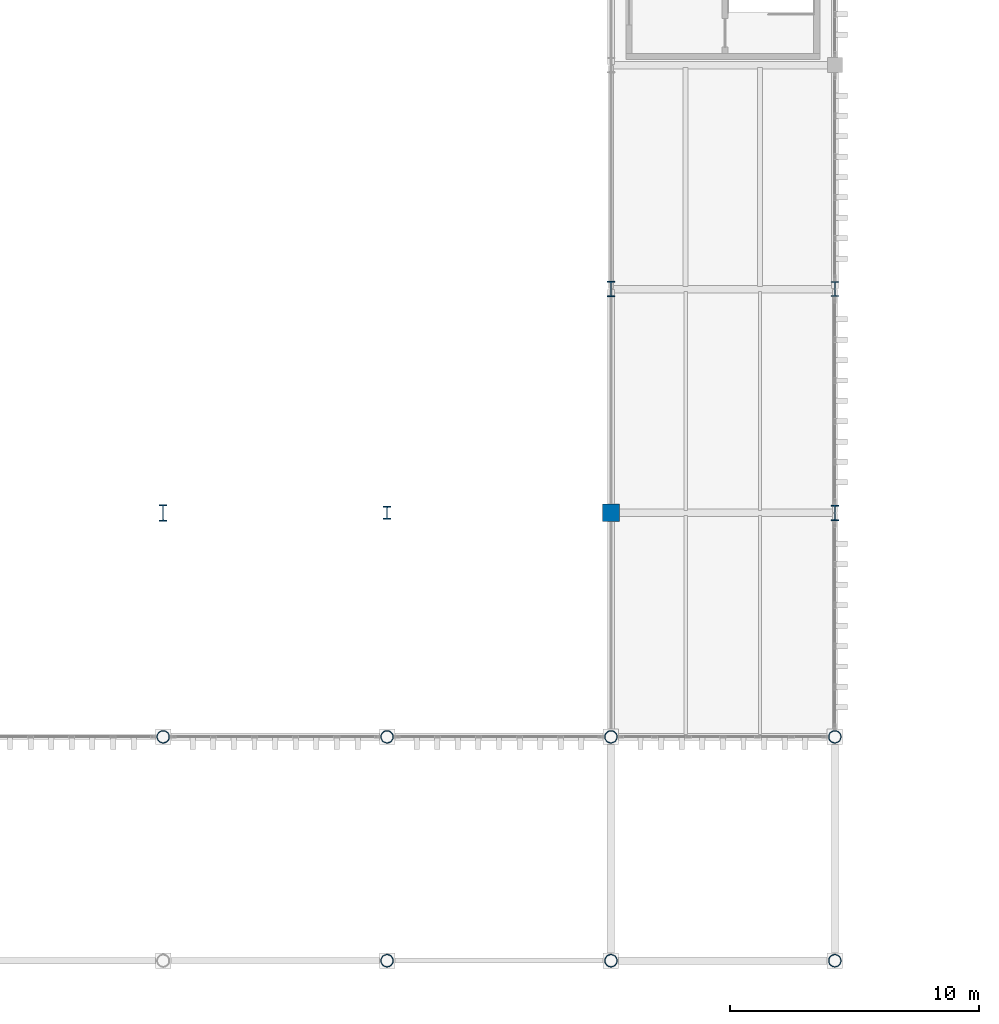
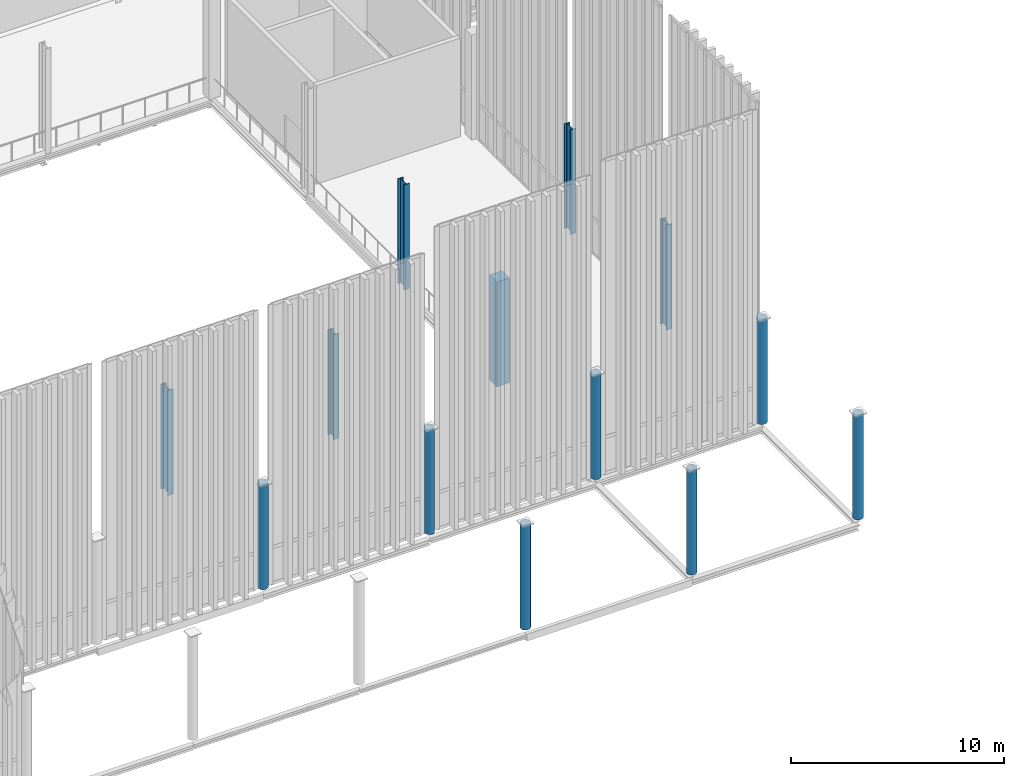
# One storey, part 2 of 237: 13 columns.
"""IFC4 building model written with IfcOpenShell, lengths in metres."""

import ifcopenshell
import ifcopenshell.guid

model = None  # the IFC model being written
_history = None  # IfcOwnerHistory: only IFC2X3 demands one
_inside = {}  # id of a spatial element -> (the spatial element, [elements in it])
_under = {}  # id of a project, library or spatial element -> (it, [spatial elements below it])
_declared = {}  # id of a project -> (the project, [libraries it declares])
_typed = {}  # id of a type object -> (the type object, [elements of that type])
_made_of = {}  # id of a material, layer set ... -> (it, [elements and type objects made of it])


def new_model(schema):
    """Start an empty IFC model of exactly this schema.

    Asked for "IFC4X3", IfcOpenShell would pick the latest addendum, in which some entities
    have other attributes; the version numbers below select the first issue.
    IFC2X3 requires an IfcOwnerHistory on every rooted entity: one is made here for all.
    """
    global model, _history
    if schema == "IFC4X3":
        model = ifcopenshell.file(schema_version=(4, 3, 0, 0))
    else:
        model = ifcopenshell.file(schema=schema)
    _inside.clear()
    _under.clear()
    _declared.clear()
    _typed.clear()
    _made_of.clear()
    _history = None
    if model.schema == "IFC2X3":
        org = make("IfcOrganization", Name="unknown")
        user = make(
            "IfcPersonAndOrganization",
            ThePerson=make("IfcPerson", FamilyName="unknown"),
            TheOrganization=org,
        )
        app = make(
            "IfcApplication",
            ApplicationDeveloper=org,
            Version="unknown",
            ApplicationFullName="unknown",
            ApplicationIdentifier="unknown",
        )
        _history = make(
            "IfcOwnerHistory",
            OwningUser=user,
            OwningApplication=app,
            ChangeAction="ADDED",
            CreationDate=0,
        )
    return model


def make(cls, **values):
    """One entity of the class cls with the attributes given. An attribute that is None is left unset."""
    return model.create_entity(
        cls, **{name: value for name, value in values.items() if value is not None}
    )


def rooted(cls, **values):
    """An entity with a GlobalId (a new one), such as an element, a storey or a relation."""
    return make(cls, GlobalId=ifcopenshell.guid.new(), OwnerHistory=_history, **values)


def si_unit(unit_type, name, prefix=None):
    """IfcSIUnit, for example si_unit("LENGTHUNIT", "METRE", prefix="MILLI")."""
    return make("IfcSIUnit", UnitType=unit_type, Prefix=prefix, Name=name)


def assignment(units):
    """IfcUnitAssignment: the units of a project."""
    return None if units is None else make("IfcUnitAssignment", Units=units)


def point(xyz):
    """IfcCartesianPoint."""
    return None if xyz is None else make("IfcCartesianPoint", Coordinates=xyz)


def direction(xyz):
    """IfcDirection."""
    return None if xyz is None else make("IfcDirection", DirectionRatios=xyz)


def frame(location, z_axis=None, x_axis=None):
    """IfcAxis2Placement3D, a coordinate frame: its origin and axes. An axis left out is left unset."""
    return make(
        "IfcAxis2Placement3D",
        Location=point(location),
        Axis=direction(z_axis),
        RefDirection=direction(x_axis),
    )


def frame_2d(location, x_axis=None):
    """IfcAxis2Placement2D, a coordinate frame in the plane: its origin and x axis."""
    return make(
        "IfcAxis2Placement2D", Location=point(location), RefDirection=direction(x_axis)
    )


def origin():
    """The frame at (0, 0, 0) with its axes left unset."""
    return frame((0.0, 0.0, 0.0))


def origin_2d():
    """The frame at (0, 0) in the plane with its x axis left unset."""
    return frame_2d((0.0, 0.0))


def place(relative_to, where):
    """IfcLocalPlacement: puts the frame where relative to a parent placement (None: the world)."""
    return make(
        "IfcLocalPlacement", PlacementRelTo=relative_to, RelativePlacement=where
    )


def context(
    kind, dimensions, precision=None, world=None, true_north=None, identifier=None
):
    """IfcGeometricRepresentationContext, for example the 3D "Model" context."""
    return make(
        "IfcGeometricRepresentationContext",
        ContextIdentifier=identifier,
        ContextType=kind,
        CoordinateSpaceDimension=dimensions,
        Precision=precision,
        WorldCoordinateSystem=world,
        TrueNorth=true_north,
    )


def subcontext(parent, identifier, kind, view, scale=None):
    """IfcGeometricRepresentationSubContext, for example "Body" below "Model"."""
    return make(
        "IfcGeometricRepresentationSubContext",
        ContextIdentifier=identifier,
        ContextType=kind,
        ParentContext=parent,
        TargetScale=scale,
        TargetView=view,
    )


def project(units=None, contexts=None):
    """IfcProject with its units and contexts."""
    return rooted(
        "IfcProject",
        Name="project",
        RepresentationContexts=contexts,
        UnitsInContext=assignment(units),
    )


def spatial(cls, under=None, at=None, **own):
    """A site, building, storey or space (cls), placed at a placement, below another one or the project."""
    s = rooted(cls, ObjectPlacement=at, **own)
    if under is not None:
        _under.setdefault(under.id(), (under, []))[1].append(s)
    return s


def profile(cls, at=None, kind="AREA", **sizes):
    """A parametric profile (cls). Its sizes go by their IFC names, for example OverallWidth=200.0."""
    return make(cls, ProfileType=kind, Position=at, **sizes)


def rectangle(**sizes):
    """IfcRectangleProfileDef."""
    return profile("IfcRectangleProfileDef", **sizes)


def hollow_circle(**sizes):
    """IfcCircleHollowProfileDef."""
    return profile("IfcCircleHollowProfileDef", **sizes)


def i_section(**sizes):
    """IfcIShapeProfileDef."""
    return profile("IfcIShapeProfileDef", **sizes)


def extrude(swept, where, along, depth):
    """IfcExtrudedAreaSolid: the profile swept, set in the frame where, extruded along a direction by depth."""
    return make(
        "IfcExtrudedAreaSolid",
        SweptArea=swept,
        Position=where,
        ExtrudedDirection=direction(along),
        Depth=depth,
    )


def shape(context_of_items, identifier, shape_type, items):
    """IfcShapeRepresentation: the items that make up one representation, for example the "Body"."""
    return make(
        "IfcShapeRepresentation",
        ContextOfItems=context_of_items,
        RepresentationIdentifier=identifier,
        RepresentationType=shape_type,
        Items=items,
    )


def material(Name=None, Category=None):
    """IfcMaterial."""
    return make("IfcMaterial", Name=Name, Category=Category)


def material_profile(
    of_material, cross_section, Name=None, Category=None, Priority=None
):
    """IfcMaterialProfile: a cross section and its material."""
    return make(
        "IfcMaterialProfile",
        Name=Name,
        Material=of_material,
        Profile=cross_section,
        Priority=Priority,
        Category=Category,
    )


def profile_set(profiles, Name=None, composite=None):
    """IfcMaterialProfileSet."""
    return make(
        "IfcMaterialProfileSet",
        Name=Name,
        MaterialProfiles=profiles,
        CompositeProfile=composite,
    )


def made_of(thing, what):
    """Note that an element or type object is made of a material, layer set ...; save() writes the relation."""
    if what is not None:
        _made_of.setdefault(what.id(), (what, []))[1].append(thing)
    return thing


def type_object(cls, material=None, **own):
    """A type object (cls), such as IfcWallType, which elements share."""
    return made_of(rooted(cls, **own), material)


def element(
    cls,
    number,
    at=None,
    inside=None,
    cuts=None,
    type_object=None,
    material=None,
    context=None,
    identifier="Body",
    shape_type=None,
    held_by="IfcProductDefinitionShape",
    body=None,
    shapes=None,
    **own,
):
    """One element of the class cls, such as IfcWall. Its Tag is "e" and its number.

    at: its placement. inside: the storey or other place that contains it. cuts: it is an
    opening in that element (IfcRelVoidsElement). A single representation is given by context,
    identifier, shape_type and body (its items); several are given by shapes. held_by: the class
    of the entity that holds the representations. save() writes the other relations.
    """
    e = rooted(cls, Tag="e%d" % number, ObjectPlacement=at, **own)
    if body is not None:
        shapes = [shape(context, identifier, shape_type, body)]
    if shapes is not None:
        e.Representation = make(held_by, Representations=shapes)
    if inside is not None:
        _inside.setdefault(inside.id(), (inside, []))[1].append(e)
    if cuts is not None:
        rooted(
            "IfcRelVoidsElement", RelatingBuildingElement=cuts, RelatedOpeningElement=e
        )
    if type_object is not None:
        _typed.setdefault(type_object.id(), (type_object, []))[1].append(e)
    return made_of(e, material)


def aggregate(whole, parts):
    """IfcRelAggregates: a whole, such as a stair, and the parts it consists of."""
    return rooted("IfcRelAggregates", RelatingObject=whole, RelatedObjects=parts)


def save(model, path):
    """Write the relations noted so far, then the file.

    IfcRelAggregates (storeys below a building ...), IfcRelContainedInSpatialStructure (elements
    in a storey), IfcRelDefinesByType, IfcRelAssociatesMaterial and IfcRelDeclares: one each for
    every whole, place, type object, material and project.
    """
    for whole, parts in _under.values():
        aggregate(whole, parts)
    for where, things in _inside.values():
        rooted(
            "IfcRelContainedInSpatialStructure",
            RelatedElements=things,
            RelatingStructure=where,
        )
    for kind, things in _typed.values():
        rooted("IfcRelDefinesByType", RelatedObjects=things, RelatingType=kind)
    for what, things in _made_of.values():
        rooted("IfcRelAssociatesMaterial", RelatedObjects=things, RelatingMaterial=what)
    for by, libraries in _declared.values():
        rooted("IfcRelDeclares", RelatingContext=by, RelatedDefinitions=libraries)
    model.write(path)


model = new_model("IFC4")

# Units and contexts
model_context = context("Model", 3, precision=1e-05, world=origin(), true_north=direction((0.0, 1.0)))
body_context = subcontext(model_context, "Body", "Model", "MODEL_VIEW")
ifc_project = project(units=[si_unit("LENGTHUNIT", "METRE"), si_unit("AREAUNIT", "SQUARE_METRE"), si_unit("VOLUMEUNIT", "CUBIC_METRE"), si_unit("PLANEANGLEUNIT", "RADIAN"), si_unit("MASSUNIT", "GRAM", prefix="KILO")], contexts=[model_context])

# Site, building, storey
site_placement = place(None, origin())
site = spatial("IfcSite", under=ifc_project, at=site_placement, CompositionType="ELEMENT")
building_placement = place(site_placement, origin())
building = spatial("IfcBuilding", under=site, at=building_placement, Name="Barlavento Convention Centre", CompositionType="ELEMENT")
storey_placement = place(building_placement, frame((0.0, 0.0, 12.0)))
storey = spatial("IfcBuildingStorey", under=building, at=storey_placement, Name="L02", CompositionType="ELEMENT", Elevation=12.0)

# Columns
ifc_material_1 = material(Name="Steel S460", Category="steel")
ifc_material_profile_1 = material_profile(ifc_material_1, hollow_circle(Radius=0.25390625, WallThickness=0.02001953125, at=origin_2d()), Name="CHS 508.0x20.0")
ifc_profile_set_1 = profile_set([ifc_material_profile_1], Name="Steel S460")
column_type_1 = type_object("IfcColumnType", Name="STR-COL-CHS508", PredefinedType="COLUMN", material=ifc_profile_set_1)
for number, where, z_axis, x_axis, name in (
    (1, (36.0, 9.0, 0.0), (0.0, 0.0, 1.0), (1.0, 0.0, 0.0), "L02 column SC13"),
    (2, (45.0, 0.0, 0.0), (0.0, 0.0, 1.0), (1.0, 0.0, 0.0), "L02 column SC13"),
    (3, (45.0, 9.0, 0.0), (0.0, 0.0, 1.0), (1.0, 0.0, 0.0), "L02 column SC13"),
    (4, (54.0, 0.0, 0.0), (0.0, 0.0, 1.0), (1.0, 0.0, 0.0), "L02 column SC13"),
    (5, (54.0, 9.0, 0.0), (0.0, 0.0, 1.0), (1.0, 0.0, 0.0), "L02 column SC13"),
    (6, (63.0, 0.0, 0.0), (0.0, 0.0, 1.0), (1.0, 0.0, 0.0), "L02 column SC13"),
    (7, (63.0, 9.0, 0.0), (0.0, 0.0, 1.0), (1.0, 0.0, 0.0), "L02 column SC13"),
):
    element("IfcColumn", number, at=place(storey_placement, frame(where, z_axis=z_axis, x_axis=x_axis)), inside=storey, type_object=column_type_1, Name=name, PredefinedType="COLUMN", context=body_context, shape_type="SweptSolid", body=[
        extrude(hollow_circle(Radius=0.25390625, WallThickness=0.02001953125, at=origin_2d()), origin(), (0.0, 0.0, 1.0), 6.0),
    ])
ifc_material_2 = material(Name="Steel S355", Category="steel")
ifc_material_profile_2 = material_profile(ifc_material_2, i_section(OverallWidth=0.300048828125, OverallDepth=0.60009765625, WebThickness=0.015380859375, FlangeThickness=0.030029296875, FilletRadius=0.027099609375, at=origin_2d()), Name="HEB 600")
ifc_profile_set_2 = profile_set([ifc_material_profile_2], Name="Steel S355")
column_type_2 = type_object("IfcColumnType", Name="STR-COL-HEB600", PredefinedType="COLUMN", material=ifc_profile_set_2)
column_1_placement = place(storey_placement, frame((63.0, 27.0, 0.0), z_axis=(0.0, 0.0, 1.0), x_axis=(1.0, 0.0, 0.0)))
element("IfcColumn", 8, at=column_1_placement, inside=storey, type_object=column_type_2, Name="L02 column SC08", PredefinedType="COLUMN", context=body_context, shape_type="SweptSolid", body=[
    extrude(i_section(OverallWidth=0.300048828125, OverallDepth=0.60009765625, WebThickness=0.015380859375, FlangeThickness=0.030029296875, FilletRadius=0.027099609375, at=origin_2d()), origin(), (0.0, 0.0, 1.0), 6.0),
])
ifc_material_profile_3 = material_profile(ifc_material_2, i_section(OverallWidth=0.305908203125, OverallDepth=0.52392578125, WebThickness=0.02099609375, FlangeThickness=0.0400390625, FilletRadius=0.027099609375, at=origin_2d()), Name="HEM 500")
ifc_profile_set_3 = profile_set([ifc_material_profile_3], Name="Steel S355")
column_type_3 = type_object("IfcColumnType", Name="STR-COL-HEM500", PredefinedType="COLUMN", material=ifc_profile_set_3)
column_2_placement = place(storey_placement, frame((45.0, 18.0, 0.0), z_axis=(0.0, 0.0, 1.0), x_axis=(1.0, 0.0, 0.0)))
element("IfcColumn", 9, at=column_2_placement, inside=storey, type_object=column_type_3, Name="L02 column SC07", PredefinedType="COLUMN", context=body_context, shape_type="SweptSolid", body=[
    extrude(i_section(OverallWidth=0.305908203125, OverallDepth=0.52392578125, WebThickness=0.02099609375, FlangeThickness=0.0400390625, FilletRadius=0.027099609375, at=origin_2d()), origin(), (0.0, 0.0, 1.0), 6.0),
])
ifc_material_profile_4 = material_profile(ifc_material_2, i_section(OverallWidth=0.304931640625, OverallDepth=0.6201171875, WebThickness=0.02099609375, FlangeThickness=0.0400390625, FilletRadius=0.027099609375, at=origin_2d()), Name="HEM 600")
ifc_profile_set_4 = profile_set([ifc_material_profile_4], Name="Steel S355")
column_type_4 = type_object("IfcColumnType", Name="STR-COL-HEM600", PredefinedType="COLUMN", material=ifc_profile_set_4)
for number, where, z_axis, x_axis, name in (
    (10, (54.0, 27.0, 0.0), (0.0, 0.0, 1.0), (1.0, 0.0, 0.0), "L02 column SC05"),
    (11, (63.0, 18.0, 0.0), (0.0, 0.0, 1.0), (1.0, 0.0, 0.0), "L02 column SC05"),
):
    element("IfcColumn", number, at=place(storey_placement, frame(where, z_axis=z_axis, x_axis=x_axis)), inside=storey, type_object=column_type_4, Name=name, PredefinedType="COLUMN", context=body_context, shape_type="SweptSolid", body=[
        extrude(i_section(OverallWidth=0.304931640625, OverallDepth=0.6201171875, WebThickness=0.02099609375, FlangeThickness=0.0400390625, FilletRadius=0.027099609375, at=origin_2d()), origin(), (0.0, 0.0, 1.0), 6.0),
    ])
ifc_material_profile_5 = material_profile(ifc_material_1, i_section(OverallWidth=0.304931640625, OverallDepth=0.66796875, WebThickness=0.02099609375, FlangeThickness=0.0400390625, FilletRadius=0.027099609375, at=origin_2d()), Name="HEM 650")
ifc_profile_set_5 = profile_set([ifc_material_profile_5], Name="Steel S460")
column_type_5 = type_object("IfcColumnType", Name="STR-COL-HEM650", PredefinedType="COLUMN", material=ifc_profile_set_5)
column_3_placement = place(storey_placement, frame((36.0, 18.0, 0.0), z_axis=(0.0, 0.0, 1.0), x_axis=(1.0, 0.0, 0.0)))
element("IfcColumn", 12, at=column_3_placement, inside=storey, type_object=column_type_5, Name="L02 column SC04", PredefinedType="COLUMN", context=body_context, shape_type="SweptSolid", body=[
    extrude(i_section(OverallWidth=0.304931640625, OverallDepth=0.66796875, WebThickness=0.02099609375, FlangeThickness=0.0400390625, FilletRadius=0.027099609375, at=origin_2d()), origin(), (0.0, 0.0, 1.0), 6.0),
])
ifc_material_3 = material(Name="Concrete C40/50", Category="concrete")
ifc_material_profile_6 = material_profile(ifc_material_3, rectangle(XDim=0.699951171875, YDim=0.699951171875, at=origin_2d()), Name="RC 700x700")
ifc_profile_set_6 = profile_set([ifc_material_profile_6], Name="Concrete C40/50")
column_type_6 = type_object("IfcColumnType", Name="STR-COL-RC700", PredefinedType="COLUMN", material=ifc_profile_set_6)
column_4_placement = place(storey_placement, frame((54.0, 18.0, 0.0), z_axis=(0.0, 0.0, 1.0), x_axis=(1.0, 0.0, 0.0)))
element("IfcColumn", 13, at=column_4_placement, inside=storey, type_object=column_type_6, Name="L02 column CC06", PredefinedType="COLUMN", context=body_context, shape_type="SweptSolid", body=[
    extrude(rectangle(XDim=0.699951171875, YDim=0.699951171875, at=origin_2d()), origin(), (0.0, 0.0, 1.0), 6.0),
])

save(model, "model.ifc")
